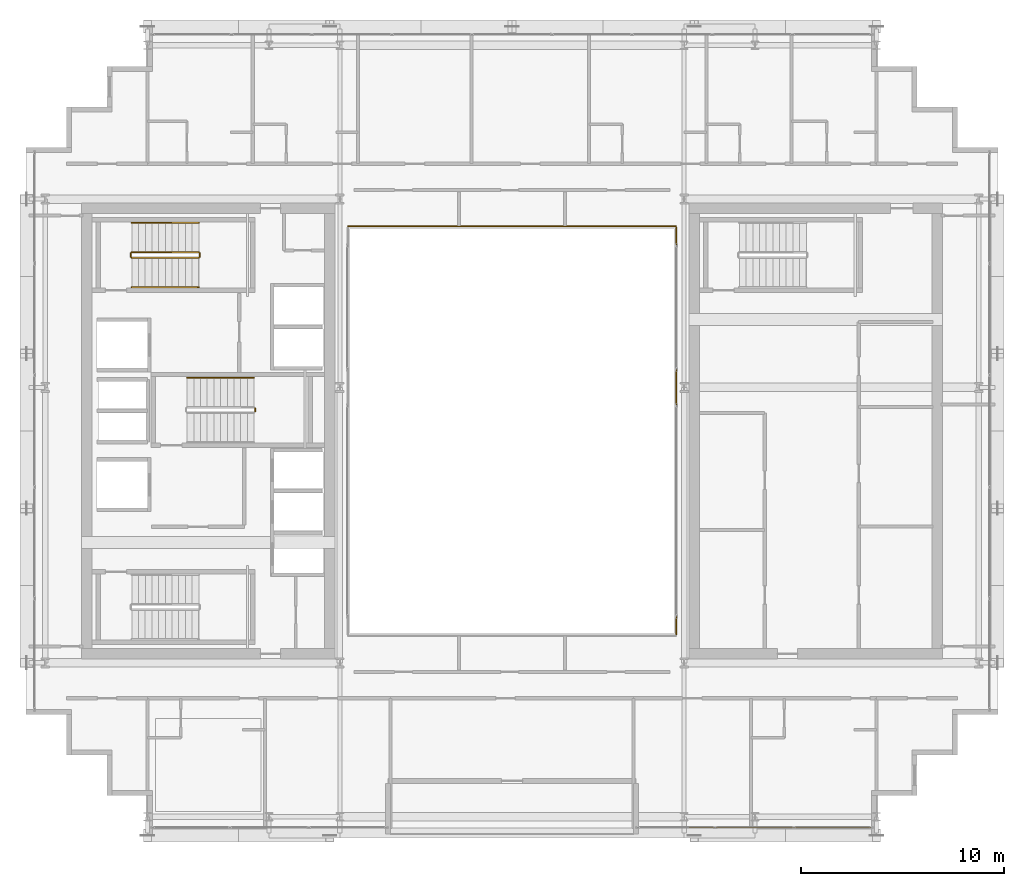
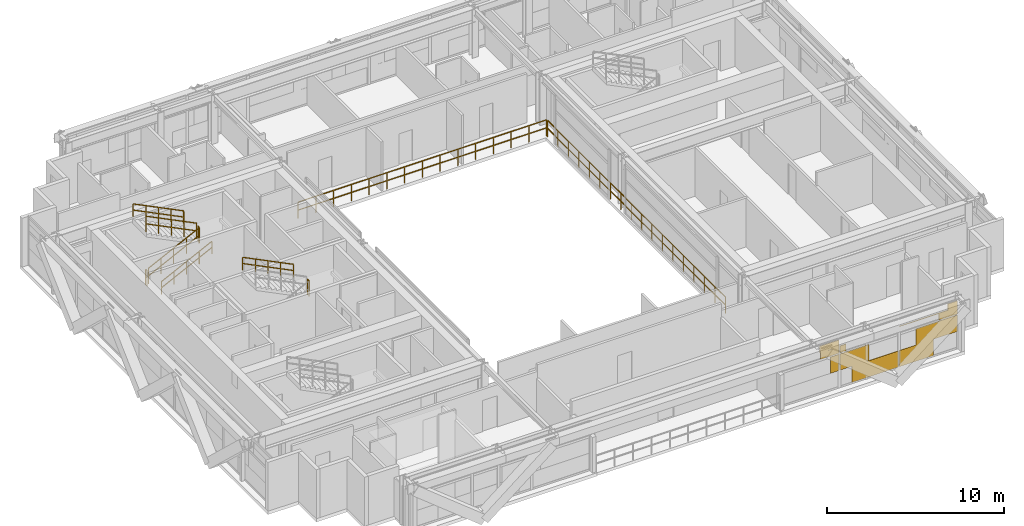
# One storey, part 35 of 37: 10 railings, 1 covering.
"""IFC4 building model written with IfcOpenShell, lengths in metres."""

from ifc_helpers import new_model, si_unit, direction, frame, origin, origin_2d, place, context, subcontext, project, spatial, rectangle, extrude, material, layer, layer_set, type_object, element, save


model = new_model("IFC4")

# Units and contexts
model_context = context("Model", 3, precision=1e-05, world=origin(), true_north=direction((0.0, 1.0)))
body_context = subcontext(model_context, "Body", "Model", "MODEL_VIEW")
ifc_project = project(units=[si_unit("LENGTHUNIT", "METRE"), si_unit("AREAUNIT", "SQUARE_METRE"), si_unit("VOLUMEUNIT", "CUBIC_METRE"), si_unit("PLANEANGLEUNIT", "RADIAN"), si_unit("MASSUNIT", "GRAM", prefix="KILO")], contexts=[model_context])

# Site, building, storey
site_placement = place(None, origin())
site = spatial("IfcSite", under=ifc_project, at=site_placement, CompositionType="ELEMENT")
building_placement = place(site_placement, origin())
building = spatial("IfcBuilding", under=site, at=building_placement, Name="Ocotamira Hotel", CompositionType="ELEMENT")
storey_placement = place(building_placement, frame((0.0, 0.0, 192.0)))
storey = spatial("IfcBuildingStorey", under=building, at=storey_placement, Name="L48", CompositionType="ELEMENT", Elevation=192.0)

# Covering
ifc_material_1 = material(Name="Insulated pale-metal aluminium spandrel panel", Category="aluminium")
ifc_layer = layer(ifc_material_1, 0.044921875)
ifc_layer_set = layer_set([ifc_layer], Name="Insulated pale-metal aluminium spandrel panel")
covering_type = type_object("IfcCoveringType", Name="COV-INFILL-45", PredefinedType="CLADDING", material=ifc_layer_set)
covering_placement = place(storey_placement, origin())
element("IfcCovering", 1, at=covering_placement, inside=storey, type_object=covering_type, Name="L48 Curtain Wall Infill CW-4 CW-L48-S2", PredefinedType="CLADDING", context=body_context, shape_type="SweptSolid", body=[
    extrude(rectangle(XDim=0.543212890625, YDim=0.044921875, at=origin_2d()), frame((41.72119140625, 6.419921875, 1.1943359375), z_axis=(0.0, 0.0, 1.0), x_axis=(1.0, 0.0, 0.0)), (0.0, 0.0, 1.0), 1.117919921875),
    extrude(rectangle(XDim=1.23046875, YDim=0.044921875, at=origin_2d()), frame((41.377685546875, 6.419921875, 2.83154296875), z_axis=(0.0, 0.0, 1.0), x_axis=(1.0, 0.0, 0.0)), (0.0, 0.0, 1.0), 0.462890625),
    extrude(rectangle(XDim=1.19140625, YDim=0.044921875, at=origin_2d()), frame((41.397216796875, 6.419921875, 2.38818359375), z_axis=(0.0, 0.0, 1.0), x_axis=(1.0, 0.0, 0.0)), (0.0, 0.0, 1.0), 0.442626953125),
    extrude(rectangle(XDim=1.893798828125, YDim=0.044921875, at=origin_2d()), frame((43.020751953125, 6.419921875, 1.1943359375), z_axis=(0.0, 0.0, 1.0), x_axis=(1.0, 0.0, 0.0)), (0.0, 0.0, 1.0), 1.117919921875),
    extrude(rectangle(XDim=3.028076171875, YDim=0.044921875, at=origin_2d()), frame((44.362060546875, 6.419921875, 0.07568359375), z_axis=(0.0, 0.0, 1.0), x_axis=(1.0, 0.0, 0.0)), (0.0, 0.0, 1.0), 1.117919921875),
    extrude(rectangle(XDim=0.401611328125, YDim=0.044921875, at=origin_2d()), frame((42.274658203125, 6.419921875, 2.38818359375), z_axis=(0.0, 0.0, 1.0), x_axis=(1.0, 0.0, 0.0)), (0.0, 0.0, 1.0), 0.473876953125),
    extrude(rectangle(XDim=2.19482421875, YDim=0.044921875, at=origin_2d()), frame((47.0546875, 6.419921875, 0.07568359375), z_axis=(0.0, 0.0, 1.0), x_axis=(1.0, 0.0, 0.0)), (0.0, 0.0, 1.0), 1.117919921875),
    extrude(rectangle(XDim=2.68701171875, YDim=0.044921875, at=origin_2d()), frame((48.3759765625, 6.419921875, 1.1943359375), z_axis=(0.0, 0.0, 1.0), x_axis=(1.0, 0.0, 0.0)), (0.0, 0.0, 1.0), 1.117919921875),
    extrude(rectangle(XDim=3.76220703125, YDim=0.044921875, at=origin_2d()), frame((47.83837890625, 6.419921875, 2.83154296875), z_axis=(0.0, 0.0, 1.0), x_axis=(1.0, 0.0, 0.0)), (0.0, 0.0, 1.0), 0.0302734375),
    extrude(rectangle(XDim=1.19482421875, YDim=0.044921875, at=origin_2d()), frame((49.1220703125, 6.419921875, 2.38818359375), z_axis=(0.0, 0.0, 1.0), x_axis=(1.0, 0.0, 0.0)), (0.0, 0.0, 1.0), 0.442626953125),
    extrude(rectangle(XDim=0.601318359375, YDim=0.044921875, at=origin_2d()), frame((49.418701171875, 6.419921875, 2.86279296875), z_axis=(0.0, 0.0, 1.0), x_axis=(1.0, 0.0, 0.0)), (0.0, 0.0, 1.0), 0.431640625),
])

# Railings
ifc_material_2 = material(Name="Painted steel stair guardrail", Category="steel")
railing_type_1 = type_object("IfcRailingType", Name="RL-EDGE-1150", PredefinedType="GUARDRAIL", material=ifc_material_2)
railing_1_placement = place(storey_placement, frame((40.1201171875, 15.9599609375, 0.0)))
element("IfcRailing", 2, at=railing_1_placement, inside=storey, type_object=railing_type_1, Name="L48 Central Atrium Edge Guardrail E", PredefinedType="GUARDRAIL", context=body_context, shape_type="SweptSolid", body=[
    extrude(rectangle(XDim=0.048095703125, YDim=0.048095703125, at=origin_2d()), frame((0.0, 0.0, 1.1259765625), z_axis=(0.0, 1.0, 0.0), x_axis=(-1.0, 0.0, 0.0)), (0.0, 0.0, 1.0), 20.080078125),
    extrude(rectangle(XDim=0.048095703125, YDim=0.048095703125, at=origin_2d()), frame((0.0, 0.0, 0.574951171875), z_axis=(0.0, 1.0, 0.0), x_axis=(-1.0, 0.0, 0.0)), (0.0, 0.0, 1.0), 20.080078125),
    extrude(rectangle(XDim=0.0419921875, YDim=0.0419921875, at=origin_2d()), origin(), (0.0, 0.0, 1.0), 1.101806640625),
    extrude(rectangle(XDim=0.0419921875, YDim=0.0419921875, at=origin_2d()), frame((0.0, 1.18115234375, 0.0)), (0.0, 0.0, 1.0), 1.101806640625),
    extrude(rectangle(XDim=0.0419921875, YDim=0.0419921875, at=origin_2d()), frame((0.0, 2.3623046875, 0.0)), (0.0, 0.0, 1.0), 1.101806640625),
    extrude(rectangle(XDim=0.0419921875, YDim=0.0419921875, at=origin_2d()), frame((0.0, 3.54345703125, 0.0)), (0.0, 0.0, 1.0), 1.101806640625),
    extrude(rectangle(XDim=0.0419921875, YDim=0.0419921875, at=origin_2d()), frame((0.0, 4.724609375, 0.0)), (0.0, 0.0, 1.0), 1.101806640625),
    extrude(rectangle(XDim=0.0419921875, YDim=0.0419921875, at=origin_2d()), frame((0.0, 5.906005859375, 0.0)), (0.0, 0.0, 1.0), 1.101806640625),
    extrude(rectangle(XDim=0.0419921875, YDim=0.0419921875, at=origin_2d()), frame((0.0, 7.087158203125, 0.0)), (0.0, 0.0, 1.0), 1.101806640625),
    extrude(rectangle(XDim=0.0419921875, YDim=0.0419921875, at=origin_2d()), frame((0.0, 8.268310546875, 0.0)), (0.0, 0.0, 1.0), 1.101806640625),
    extrude(rectangle(XDim=0.0419921875, YDim=0.0419921875, at=origin_2d()), frame((0.0, 9.449462890625, 0.0)), (0.0, 0.0, 1.0), 1.101806640625),
    extrude(rectangle(XDim=0.0419921875, YDim=0.0419921875, at=origin_2d()), frame((0.0, 10.630615234375, 0.0)), (0.0, 0.0, 1.0), 1.101806640625),
    extrude(rectangle(XDim=0.0419921875, YDim=0.0419921875, at=origin_2d()), frame((0.0, 11.811767578125, 0.0)), (0.0, 0.0, 1.0), 1.101806640625),
    extrude(rectangle(XDim=0.0419921875, YDim=0.0419921875, at=origin_2d()), frame((0.0, 12.992919921875, 0.0)), (0.0, 0.0, 1.0), 1.101806640625),
    extrude(rectangle(XDim=0.0419921875, YDim=0.0419921875, at=origin_2d()), frame((0.0, 14.174072265625, 0.0)), (0.0, 0.0, 1.0), 1.101806640625),
    extrude(rectangle(XDim=0.0419921875, YDim=0.0419921875, at=origin_2d()), frame((0.0, 15.35546875, 0.0)), (0.0, 0.0, 1.0), 1.101806640625),
    extrude(rectangle(XDim=0.0419921875, YDim=0.0419921875, at=origin_2d()), frame((0.0, 16.53662109375, 0.0)), (0.0, 0.0, 1.0), 1.101806640625),
    extrude(rectangle(XDim=0.0419921875, YDim=0.0419921875, at=origin_2d()), frame((0.0, 17.7177734375, 0.0)), (0.0, 0.0, 1.0), 1.101806640625),
    extrude(rectangle(XDim=0.0419921875, YDim=0.0419921875, at=origin_2d()), frame((0.0, 18.89892578125, 0.0)), (0.0, 0.0, 1.0), 1.101806640625),
    extrude(rectangle(XDim=0.0419921875, YDim=0.0419921875, at=origin_2d()), frame((0.0, 20.080078125, 0.0)), (0.0, 0.0, 1.0), 1.101806640625),
])
railing_2_placement = place(storey_placement, frame((40.10009765625, 36.1201171875, 0.0)))
element("IfcRailing", 3, at=railing_2_placement, inside=storey, type_object=railing_type_1, Name="L48 Central Atrium Edge Guardrail N", PredefinedType="GUARDRAIL", context=body_context, shape_type="SweptSolid", body=[
    extrude(rectangle(XDim=0.048095703125, YDim=0.048095703125, at=origin_2d()), frame((0.0, 0.0, 1.1259765625), z_axis=(-1.0, 0.0, 0.0), x_axis=(0.0, -1.0, 0.0)), (0.0, 0.0, 1.0), 16.2001953125),
    extrude(rectangle(XDim=0.048095703125, YDim=0.048095703125, at=origin_2d()), frame((0.0, 0.0, 0.574951171875), z_axis=(-1.0, 0.0, 0.0), x_axis=(0.0, -1.0, 0.0)), (0.0, 0.0, 1.0), 16.2001953125),
    extrude(rectangle(XDim=0.0419921875, YDim=0.0419921875, at=origin_2d()), origin(), (0.0, 0.0, 1.0), 1.101806640625),
    extrude(rectangle(XDim=0.0419921875, YDim=0.0419921875, at=origin_2d()), frame((-1.1572265625, 0.0, 0.0)), (0.0, 0.0, 1.0), 1.101806640625),
    extrude(rectangle(XDim=0.0419921875, YDim=0.0419921875, at=origin_2d()), frame((-2.314208984375, 0.0, 0.0)), (0.0, 0.0, 1.0), 1.101806640625),
    extrude(rectangle(XDim=0.0419921875, YDim=0.0419921875, at=origin_2d()), frame((-3.471435546875, 0.0, 0.0)), (0.0, 0.0, 1.0), 1.101806640625),
    extrude(rectangle(XDim=0.0419921875, YDim=0.0419921875, at=origin_2d()), frame((-4.628662109375, 0.0, 0.0)), (0.0, 0.0, 1.0), 1.101806640625),
    extrude(rectangle(XDim=0.0419921875, YDim=0.0419921875, at=origin_2d()), frame((-5.785888671875, 0.0, 0.0)), (0.0, 0.0, 1.0), 1.101806640625),
    extrude(rectangle(XDim=0.0419921875, YDim=0.0419921875, at=origin_2d()), frame((-6.94287109375, 0.0, 0.0)), (0.0, 0.0, 1.0), 1.101806640625),
    extrude(rectangle(XDim=0.0419921875, YDim=0.0419921875, at=origin_2d()), frame((-8.10009765625, 0.0, 0.0)), (0.0, 0.0, 1.0), 1.101806640625),
    extrude(rectangle(XDim=0.0419921875, YDim=0.0419921875, at=origin_2d()), frame((-9.25732421875, 0.0, 0.0)), (0.0, 0.0, 1.0), 1.101806640625),
    extrude(rectangle(XDim=0.0419921875, YDim=0.0419921875, at=origin_2d()), frame((-10.414306640625, 0.0, 0.0)), (0.0, 0.0, 1.0), 1.101806640625),
    extrude(rectangle(XDim=0.0419921875, YDim=0.0419921875, at=origin_2d()), frame((-11.571533203125, 0.0, 0.0)), (0.0, 0.0, 1.0), 1.101806640625),
    extrude(rectangle(XDim=0.0419921875, YDim=0.0419921875, at=origin_2d()), frame((-12.728759765625, 0.0, 0.0)), (0.0, 0.0, 1.0), 1.101806640625),
    extrude(rectangle(XDim=0.0419921875, YDim=0.0419921875, at=origin_2d()), frame((-13.885986328125, 0.0, 0.0)), (0.0, 0.0, 1.0), 1.101806640625),
    extrude(rectangle(XDim=0.0419921875, YDim=0.0419921875, at=origin_2d()), frame((-15.04296875, 0.0, 0.0)), (0.0, 0.0, 1.0), 1.101806640625),
    extrude(rectangle(XDim=0.0419921875, YDim=0.0419921875, at=origin_2d()), frame((-16.2001953125, 0.0, 0.0)), (0.0, 0.0, 1.0), 1.101806640625),
])
ifc_material_3 = material(Name="Brushed stainless steel handrail", Category="steel")
railing_type_2 = type_object("IfcRailingType", Name="RL-HAND-900", PredefinedType="HANDRAIL", material=ifc_material_3)
railing_3_placement = place(storey_placement, frame((13.22998046875, 33.10009765625, 0.327392578125)))
element("IfcRailing", 4, at=railing_3_placement, inside=storey, type_object=railing_type_2, Name="L48 ST-2 stair handrail 1", PredefinedType="HANDRAIL", context=body_context, shape_type="SweptSolid", body=[
    extrude(rectangle(XDim=0.048095703125, YDim=0.048095703125, at=origin_2d()), frame((0.0, 0.0, 0.8759765625), z_axis=(0.895920123917, 0.0, 0.444215186098), x_axis=(0.0, 1.0, 0.0)), (0.0, 0.0, 1.0), 3.683349609375),
    extrude(rectangle(XDim=0.048095703125, YDim=0.048095703125, at=origin_2d()), frame((0.0, 0.0, 0.449951171875), z_axis=(0.895920123917, 0.0, 0.444215186098), x_axis=(0.0, 1.0, 0.0)), (0.0, 0.0, 1.0), 3.683349609375),
    extrude(rectangle(XDim=0.0419921875, YDim=0.0419921875, at=origin_2d()), origin(), (0.0, 0.0, 1.0), 0.851806640625),
    extrude(rectangle(XDim=0.0419921875, YDim=0.0419921875, at=origin_2d()), frame((0.824951171875, 0.0, 0.4091796875)), (0.0, 0.0, 1.0), 0.851806640625),
    extrude(rectangle(XDim=0.0419921875, YDim=0.0419921875, at=origin_2d()), frame((1.64990234375, 0.0, 0.818115234375)), (0.0, 0.0, 1.0), 0.851806640625),
    extrude(rectangle(XDim=0.0419921875, YDim=0.0419921875, at=origin_2d()), frame((2.47509765625, 0.0, 1.22705078125)), (0.0, 0.0, 1.0), 0.851806640625),
    extrude(rectangle(XDim=0.0419921875, YDim=0.0419921875, at=origin_2d()), frame((3.300048828125, 0.0, 1.63623046875)), (0.0, 0.0, 1.0), 0.851806640625),
])
for number, where, name in (
    (5, (16.530029296875, 36.280029296875, 2.127197265625), "L48 ST-2 stair handrail 2"),
    (6, (19.260009765625, 28.6298828125, 2.127197265625), "L48 ST-3 stair handrail 2"),
):
    element("IfcRailing", number, at=place(storey_placement, frame(where)), inside=storey, type_object=railing_type_2, Name=name, PredefinedType="HANDRAIL", context=body_context, shape_type="SweptSolid", body=[
        extrude(rectangle(XDim=0.048095703125, YDim=0.048095703125, at=origin_2d()), frame((0.0, 0.0, 0.8759765625), z_axis=(-0.895893744519, 0.0, 0.4442683857), x_axis=(0.0, -1.0, 0.0)), (0.0, 0.0, 1.0), 3.68359375),
        extrude(rectangle(XDim=0.048095703125, YDim=0.048095703125, at=origin_2d()), frame((0.0, 0.0, 0.449951171875), z_axis=(-0.895893744519, 0.0, 0.4442683857), x_axis=(0.0, -1.0, 0.0)), (0.0, 0.0, 1.0), 3.68359375),
        extrude(rectangle(XDim=0.0419921875, YDim=0.0419921875, at=origin_2d()), origin(), (0.0, 0.0, 1.0), 0.851806640625),
        extrude(rectangle(XDim=0.0419921875, YDim=0.0419921875, at=origin_2d()), frame((-0.824951171875, 0.0, 0.4091796875)), (0.0, 0.0, 1.0), 0.851806640625),
        extrude(rectangle(XDim=0.0419921875, YDim=0.0419921875, at=origin_2d()), frame((-1.64990234375, 0.0, 0.818359375)), (0.0, 0.0, 1.0), 0.851806640625),
        extrude(rectangle(XDim=0.0419921875, YDim=0.0419921875, at=origin_2d()), frame((-2.47509765625, 0.0, 1.227294921875)), (0.0, 0.0, 1.0), 0.851806640625),
        extrude(rectangle(XDim=0.0419921875, YDim=0.0419921875, at=origin_2d()), frame((-3.300048828125, 0.0, 1.636474609375)), (0.0, 0.0, 1.0), 0.851806640625),
    ])
railing_type_3 = type_object("IfcRailingType", Name="RL-STAIR-1100", PredefinedType="GUARDRAIL", material=ifc_material_2)
railing_4_placement = place(storey_placement, frame((13.22998046875, 34.56005859375, 0.16357421875)))
element("IfcRailing", 7, at=railing_4_placement, inside=storey, type_object=railing_type_3, Name="L48 ST-2 stair guard 1", PredefinedType="GUARDRAIL", context=body_context, shape_type="SweptSolid", body=[
    extrude(rectangle(XDim=0.048095703125, YDim=0.048095703125, at=origin_2d()), frame((0.0, 0.0, 1.076171875), z_axis=(0.895893744519, 0.0, 0.4442683857), x_axis=(0.0, 1.0, 0.0)), (0.0, 0.0, 1.0), 3.68359375),
    extrude(rectangle(XDim=0.048095703125, YDim=0.048095703125, at=origin_2d()), frame((0.0, 0.0, 0.550048828125), z_axis=(0.895893744519, 0.0, 0.4442683857), x_axis=(0.0, 1.0, 0.0)), (0.0, 0.0, 1.0), 3.68359375),
    extrude(rectangle(XDim=0.0419921875, YDim=0.0419921875, at=origin_2d()), origin(), (0.0, 0.0, 1.0), 1.052001953125),
    extrude(rectangle(XDim=0.0419921875, YDim=0.0419921875, at=origin_2d()), frame((0.824951171875, 0.0, 0.4091796875)), (0.0, 0.0, 1.0), 1.052001953125),
    extrude(rectangle(XDim=0.0419921875, YDim=0.0419921875, at=origin_2d()), frame((1.64990234375, 0.0, 0.818359375)), (0.0, 0.0, 1.0), 1.052001953125),
    extrude(rectangle(XDim=0.0419921875, YDim=0.0419921875, at=origin_2d()), frame((2.47509765625, 0.0, 1.227294921875)), (0.0, 0.0, 1.0), 1.052001953125),
    extrude(rectangle(XDim=0.0419921875, YDim=0.0419921875, at=origin_2d()), frame((3.300048828125, 0.0, 1.636474609375)), (0.0, 0.0, 1.0), 1.052001953125),
])
railing_5_placement = place(storey_placement, frame((16.580078125, 34.610107421875, 1.800048828125)))
element("IfcRailing", 8, at=railing_5_placement, inside=storey, type_object=railing_type_3, Name="L48 ST-2 stair guard 2", PredefinedType="GUARDRAIL", context=body_context, shape_type="SweptSolid", body=[
    extrude(rectangle(XDim=0.048095703125, YDim=0.048095703125, at=origin_2d()), frame((0.0, 0.0, 1.076171875), z_axis=(0.0, 1.0, 0.0), x_axis=(-1.0, 0.0, 0.0)), (0.0, 0.0, 1.0), 0.159912109375),
    extrude(rectangle(XDim=0.048095703125, YDim=0.048095703125, at=origin_2d()), frame((0.0, 0.0, 0.550048828125), z_axis=(0.0, 1.0, 0.0), x_axis=(-1.0, 0.0, 0.0)), (0.0, 0.0, 1.0), 0.159912109375),
    extrude(rectangle(XDim=0.0419921875, YDim=0.0419921875, at=origin_2d()), origin(), (0.0, 0.0, 1.0), 1.052001953125),
    extrude(rectangle(XDim=0.0419921875, YDim=0.0419921875, at=origin_2d()), frame((0.0, 0.159912109375, 0.0)), (0.0, 0.0, 1.0), 1.052001953125),
])
railing_6_placement = place(storey_placement, frame((16.530029296875, 34.820068359375, 1.963623046875)))
element("IfcRailing", 9, at=railing_6_placement, inside=storey, type_object=railing_type_3, Name="L48 ST-2 stair guard 3", PredefinedType="GUARDRAIL", context=body_context, shape_type="SweptSolid", body=[
    extrude(rectangle(XDim=0.048095703125, YDim=0.048095703125, at=origin_2d()), frame((0.0, 0.0, 1.076171875), z_axis=(-0.895893744519, 0.0, 0.4442683857), x_axis=(0.0, -1.0, 0.0)), (0.0, 0.0, 1.0), 3.68359375),
    extrude(rectangle(XDim=0.048095703125, YDim=0.048095703125, at=origin_2d()), frame((0.0, 0.0, 0.550048828125), z_axis=(-0.895893744519, 0.0, 0.4442683857), x_axis=(0.0, -1.0, 0.0)), (0.0, 0.0, 1.0), 3.68359375),
    extrude(rectangle(XDim=0.0419921875, YDim=0.0419921875, at=origin_2d()), origin(), (0.0, 0.0, 1.0), 1.052001953125),
    extrude(rectangle(XDim=0.0419921875, YDim=0.0419921875, at=origin_2d()), frame((-0.824951171875, 0.0, 0.4091796875)), (0.0, 0.0, 1.0), 1.052001953125),
    extrude(rectangle(XDim=0.0419921875, YDim=0.0419921875, at=origin_2d()), frame((-1.64990234375, 0.0, 0.818359375)), (0.0, 0.0, 1.0), 1.052001953125),
    extrude(rectangle(XDim=0.0419921875, YDim=0.0419921875, at=origin_2d()), frame((-2.47509765625, 0.0, 1.227294921875)), (0.0, 0.0, 1.0), 1.052001953125),
    extrude(rectangle(XDim=0.0419921875, YDim=0.0419921875, at=origin_2d()), frame((-3.300048828125, 0.0, 1.636474609375)), (0.0, 0.0, 1.0), 1.052001953125),
])
railing_7_placement = place(storey_placement, frame((13.179931640625, 34.610107421875, 0.0)))
element("IfcRailing", 10, at=railing_7_placement, inside=storey, type_object=railing_type_3, Name="L48 ST-2 stair guard 4", PredefinedType="GUARDRAIL", context=body_context, shape_type="SweptSolid", body=[
    extrude(rectangle(XDim=0.048095703125, YDim=0.048095703125, at=origin_2d()), frame((0.0, 0.0, 1.076171875), z_axis=(0.0, 1.0, 0.0), x_axis=(-1.0, 0.0, 0.0)), (0.0, 0.0, 1.0), 0.159912109375),
    extrude(rectangle(XDim=0.048095703125, YDim=0.048095703125, at=origin_2d()), frame((0.0, 0.0, 0.550048828125), z_axis=(0.0, 1.0, 0.0), x_axis=(-1.0, 0.0, 0.0)), (0.0, 0.0, 1.0), 0.159912109375),
    extrude(rectangle(XDim=0.0419921875, YDim=0.0419921875, at=origin_2d()), origin(), (0.0, 0.0, 1.0), 1.052001953125),
    extrude(rectangle(XDim=0.0419921875, YDim=0.0419921875, at=origin_2d()), frame((0.0, 0.159912109375, 0.0)), (0.0, 0.0, 1.0), 1.052001953125),
])
railing_8_placement = place(storey_placement, frame((19.31005859375, 26.9599609375, 1.800048828125)))
element("IfcRailing", 11, at=railing_8_placement, inside=storey, type_object=railing_type_3, Name="L48 ST-3 stair guard 2", PredefinedType="GUARDRAIL", context=body_context, shape_type="SweptSolid", body=[
    extrude(rectangle(XDim=0.048095703125, YDim=0.048095703125, at=origin_2d()), frame((0.0, 0.0, 1.076171875), z_axis=(0.0, 1.0, 0.0), x_axis=(-1.0, 0.0, 0.0)), (0.0, 0.0, 1.0), 0.16015625),
    extrude(rectangle(XDim=0.048095703125, YDim=0.048095703125, at=origin_2d()), frame((0.0, 0.0, 0.550048828125), z_axis=(0.0, 1.0, 0.0), x_axis=(-1.0, 0.0, 0.0)), (0.0, 0.0, 1.0), 0.16015625),
    extrude(rectangle(XDim=0.0419921875, YDim=0.0419921875, at=origin_2d()), origin(), (0.0, 0.0, 1.0), 1.052001953125),
    extrude(rectangle(XDim=0.0419921875, YDim=0.0419921875, at=origin_2d()), frame((0.0, 0.16015625, 0.0)), (0.0, 0.0, 1.0), 1.052001953125),
])

save(model, "model.ifc")
